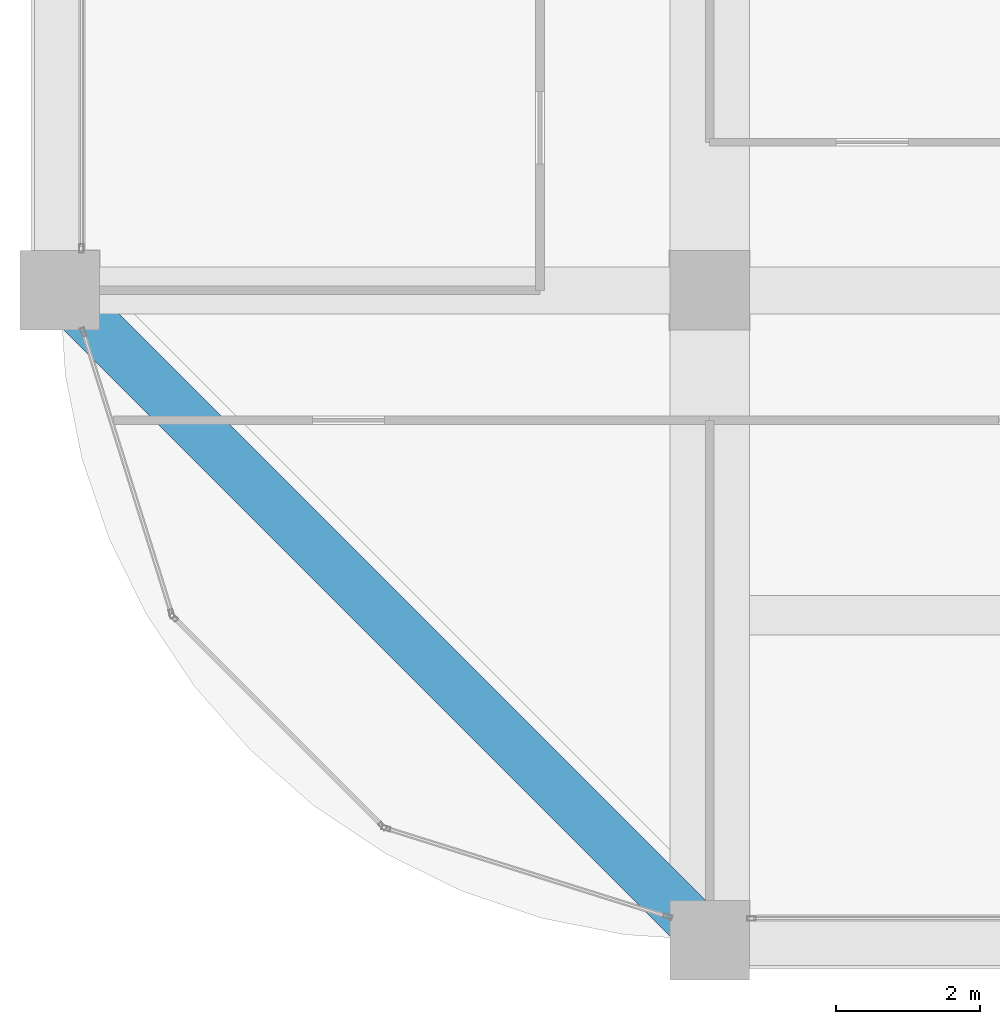
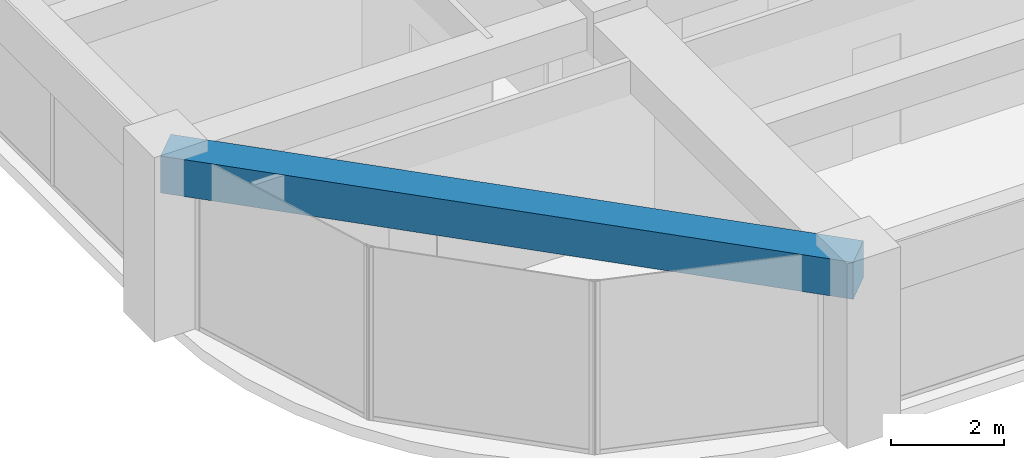
# One storey, part 3 of 44: 1 beam.
"""IFC4 building model written with IfcOpenShell, lengths in metres."""

import ifcopenshell
import ifcopenshell.guid

model = None  # the IFC model being written
_history = None  # IfcOwnerHistory: only IFC2X3 demands one
_inside = {}  # id of a spatial element -> (the spatial element, [elements in it])
_under = {}  # id of a project, library or spatial element -> (it, [spatial elements below it])
_declared = {}  # id of a project -> (the project, [libraries it declares])
_typed = {}  # id of a type object -> (the type object, [elements of that type])
_made_of = {}  # id of a material, layer set ... -> (it, [elements and type objects made of it])


def new_model(schema):
    """Start an empty IFC model of exactly this schema.

    Asked for "IFC4X3", IfcOpenShell would pick the latest addendum, in which some entities
    have other attributes; the version numbers below select the first issue.
    IFC2X3 requires an IfcOwnerHistory on every rooted entity: one is made here for all.
    """
    global model, _history
    if schema == "IFC4X3":
        model = ifcopenshell.file(schema_version=(4, 3, 0, 0))
    else:
        model = ifcopenshell.file(schema=schema)
    _inside.clear()
    _under.clear()
    _declared.clear()
    _typed.clear()
    _made_of.clear()
    _history = None
    if model.schema == "IFC2X3":
        org = make("IfcOrganization", Name="unknown")
        user = make(
            "IfcPersonAndOrganization",
            ThePerson=make("IfcPerson", FamilyName="unknown"),
            TheOrganization=org,
        )
        app = make(
            "IfcApplication",
            ApplicationDeveloper=org,
            Version="unknown",
            ApplicationFullName="unknown",
            ApplicationIdentifier="unknown",
        )
        _history = make(
            "IfcOwnerHistory",
            OwningUser=user,
            OwningApplication=app,
            ChangeAction="ADDED",
            CreationDate=0,
        )
    return model


def make(cls, **values):
    """One entity of the class cls with the attributes given. An attribute that is None is left unset."""
    return model.create_entity(
        cls, **{name: value for name, value in values.items() if value is not None}
    )


def rooted(cls, **values):
    """An entity with a GlobalId (a new one), such as an element, a storey or a relation."""
    return make(cls, GlobalId=ifcopenshell.guid.new(), OwnerHistory=_history, **values)


def si_unit(unit_type, name, prefix=None):
    """IfcSIUnit, for example si_unit("LENGTHUNIT", "METRE", prefix="MILLI")."""
    return make("IfcSIUnit", UnitType=unit_type, Prefix=prefix, Name=name)


def assignment(units):
    """IfcUnitAssignment: the units of a project."""
    return None if units is None else make("IfcUnitAssignment", Units=units)


def point(xyz):
    """IfcCartesianPoint."""
    return None if xyz is None else make("IfcCartesianPoint", Coordinates=xyz)


def direction(xyz):
    """IfcDirection."""
    return None if xyz is None else make("IfcDirection", DirectionRatios=xyz)


def frame(location, z_axis=None, x_axis=None):
    """IfcAxis2Placement3D, a coordinate frame: its origin and axes. An axis left out is left unset."""
    return make(
        "IfcAxis2Placement3D",
        Location=point(location),
        Axis=direction(z_axis),
        RefDirection=direction(x_axis),
    )


def frame_2d(location, x_axis=None):
    """IfcAxis2Placement2D, a coordinate frame in the plane: its origin and x axis."""
    return make(
        "IfcAxis2Placement2D", Location=point(location), RefDirection=direction(x_axis)
    )


def origin():
    """The frame at (0, 0, 0) with its axes left unset."""
    return frame((0.0, 0.0, 0.0))


def origin_2d():
    """The frame at (0, 0) in the plane with its x axis left unset."""
    return frame_2d((0.0, 0.0))


def place(relative_to, where):
    """IfcLocalPlacement: puts the frame where relative to a parent placement (None: the world)."""
    return make(
        "IfcLocalPlacement", PlacementRelTo=relative_to, RelativePlacement=where
    )


def context(
    kind, dimensions, precision=None, world=None, true_north=None, identifier=None
):
    """IfcGeometricRepresentationContext, for example the 3D "Model" context."""
    return make(
        "IfcGeometricRepresentationContext",
        ContextIdentifier=identifier,
        ContextType=kind,
        CoordinateSpaceDimension=dimensions,
        Precision=precision,
        WorldCoordinateSystem=world,
        TrueNorth=true_north,
    )


def subcontext(parent, identifier, kind, view, scale=None):
    """IfcGeometricRepresentationSubContext, for example "Body" below "Model"."""
    return make(
        "IfcGeometricRepresentationSubContext",
        ContextIdentifier=identifier,
        ContextType=kind,
        ParentContext=parent,
        TargetScale=scale,
        TargetView=view,
    )


def project(units=None, contexts=None):
    """IfcProject with its units and contexts."""
    return rooted(
        "IfcProject",
        Name="project",
        RepresentationContexts=contexts,
        UnitsInContext=assignment(units),
    )


def spatial(cls, under=None, at=None, **own):
    """A site, building, storey or space (cls), placed at a placement, below another one or the project."""
    s = rooted(cls, ObjectPlacement=at, **own)
    if under is not None:
        _under.setdefault(under.id(), (under, []))[1].append(s)
    return s


def profile(cls, at=None, kind="AREA", **sizes):
    """A parametric profile (cls). Its sizes go by their IFC names, for example OverallWidth=200.0."""
    return make(cls, ProfileType=kind, Position=at, **sizes)


def rectangle(**sizes):
    """IfcRectangleProfileDef."""
    return profile("IfcRectangleProfileDef", **sizes)


def extrude(swept, where, along, depth):
    """IfcExtrudedAreaSolid: the profile swept, set in the frame where, extruded along a direction by depth."""
    return make(
        "IfcExtrudedAreaSolid",
        SweptArea=swept,
        Position=where,
        ExtrudedDirection=direction(along),
        Depth=depth,
    )


def shape(context_of_items, identifier, shape_type, items):
    """IfcShapeRepresentation: the items that make up one representation, for example the "Body"."""
    return make(
        "IfcShapeRepresentation",
        ContextOfItems=context_of_items,
        RepresentationIdentifier=identifier,
        RepresentationType=shape_type,
        Items=items,
    )


def material(Name=None, Category=None):
    """IfcMaterial."""
    return make("IfcMaterial", Name=Name, Category=Category)


def material_profile(
    of_material, cross_section, Name=None, Category=None, Priority=None
):
    """IfcMaterialProfile: a cross section and its material."""
    return make(
        "IfcMaterialProfile",
        Name=Name,
        Material=of_material,
        Profile=cross_section,
        Priority=Priority,
        Category=Category,
    )


def profile_set(profiles, Name=None, composite=None):
    """IfcMaterialProfileSet."""
    return make(
        "IfcMaterialProfileSet",
        Name=Name,
        MaterialProfiles=profiles,
        CompositeProfile=composite,
    )


def made_of(thing, what):
    """Note that an element or type object is made of a material, layer set ...; save() writes the relation."""
    if what is not None:
        _made_of.setdefault(what.id(), (what, []))[1].append(thing)
    return thing


def type_object(cls, material=None, **own):
    """A type object (cls), such as IfcWallType, which elements share."""
    return made_of(rooted(cls, **own), material)


def element(
    cls,
    number,
    at=None,
    inside=None,
    cuts=None,
    type_object=None,
    material=None,
    context=None,
    identifier="Body",
    shape_type=None,
    held_by="IfcProductDefinitionShape",
    body=None,
    shapes=None,
    **own,
):
    """One element of the class cls, such as IfcWall. Its Tag is "e" and its number.

    at: its placement. inside: the storey or other place that contains it. cuts: it is an
    opening in that element (IfcRelVoidsElement). A single representation is given by context,
    identifier, shape_type and body (its items); several are given by shapes. held_by: the class
    of the entity that holds the representations. save() writes the other relations.
    """
    e = rooted(cls, Tag="e%d" % number, ObjectPlacement=at, **own)
    if body is not None:
        shapes = [shape(context, identifier, shape_type, body)]
    if shapes is not None:
        e.Representation = make(held_by, Representations=shapes)
    if inside is not None:
        _inside.setdefault(inside.id(), (inside, []))[1].append(e)
    if cuts is not None:
        rooted(
            "IfcRelVoidsElement", RelatingBuildingElement=cuts, RelatedOpeningElement=e
        )
    if type_object is not None:
        _typed.setdefault(type_object.id(), (type_object, []))[1].append(e)
    return made_of(e, material)


def aggregate(whole, parts):
    """IfcRelAggregates: a whole, such as a stair, and the parts it consists of."""
    return rooted("IfcRelAggregates", RelatingObject=whole, RelatedObjects=parts)


def save(model, path):
    """Write the relations noted so far, then the file.

    IfcRelAggregates (storeys below a building ...), IfcRelContainedInSpatialStructure (elements
    in a storey), IfcRelDefinesByType, IfcRelAssociatesMaterial and IfcRelDeclares: one each for
    every whole, place, type object, material and project.
    """
    for whole, parts in _under.values():
        aggregate(whole, parts)
    for where, things in _inside.values():
        rooted(
            "IfcRelContainedInSpatialStructure",
            RelatedElements=things,
            RelatingStructure=where,
        )
    for kind, things in _typed.values():
        rooted("IfcRelDefinesByType", RelatedObjects=things, RelatingType=kind)
    for what, things in _made_of.values():
        rooted("IfcRelAssociatesMaterial", RelatedObjects=things, RelatingMaterial=what)
    for by, libraries in _declared.values():
        rooted("IfcRelDeclares", RelatingContext=by, RelatedDefinitions=libraries)
    model.write(path)


model = new_model("IFC4")

# Units and contexts
model_context = context("Model", 3, precision=1e-05, world=origin(), true_north=direction((0.0, 1.0)))
body_context = subcontext(model_context, "Body", "Model", "MODEL_VIEW")
ifc_project = project(units=[si_unit("LENGTHUNIT", "METRE"), si_unit("AREAUNIT", "SQUARE_METRE"), si_unit("VOLUMEUNIT", "CUBIC_METRE"), si_unit("PLANEANGLEUNIT", "RADIAN"), si_unit("MASSUNIT", "GRAM", prefix="KILO")], contexts=[model_context])

# Site, building, storey
site_placement = place(None, origin())
site = spatial("IfcSite", under=ifc_project, at=site_placement, CompositionType="ELEMENT")
building_placement = place(site_placement, origin())
building = spatial("IfcBuilding", under=site, at=building_placement, Name="Zorevar Civic Tower", CompositionType="ELEMENT")
storey_placement = place(building_placement, frame((0.0, 0.0, 287.39990234375)))
storey = spatial("IfcBuildingStorey", under=building, at=storey_placement, Name="L70", CompositionType="ELEMENT", Elevation=287.39990234375)

# Beam
ifc_material = material(Name="Concrete C50/60", Category="concrete")
ifc_material_profile = material_profile(ifc_material, rectangle(XDim=0.699951171875, YDim=0.800048828125, at=origin_2d()), Name="RC 700x800")
ifc_profile_set = profile_set([ifc_material_profile], Name="Concrete C50/60")
beam_type = type_object("IfcBeamType", Name="Edge beam RC 700x800", PredefinedType="SPANDREL", material=ifc_profile_set)
beam_placement = place(storey_placement, frame((9.0, 9.0, 3.35009765625), z_axis=(0.707106781187, -0.707106781187, 0.0), x_axis=(0.707106781187, 0.707106781187, 0.0)))
element("IfcBeam", 1, at=beam_placement, inside=storey, type_object=beam_type, Name="Corner edge beam L71", PredefinedType="SPANDREL", context=body_context, shape_type="SweptSolid", body=[
    extrude(rectangle(XDim=0.699951171875, YDim=0.800048828125, at=origin_2d()), origin(), (0.0, 0.0, 1.0), 12.72802734375),
])

save(model, "model.ifc")
